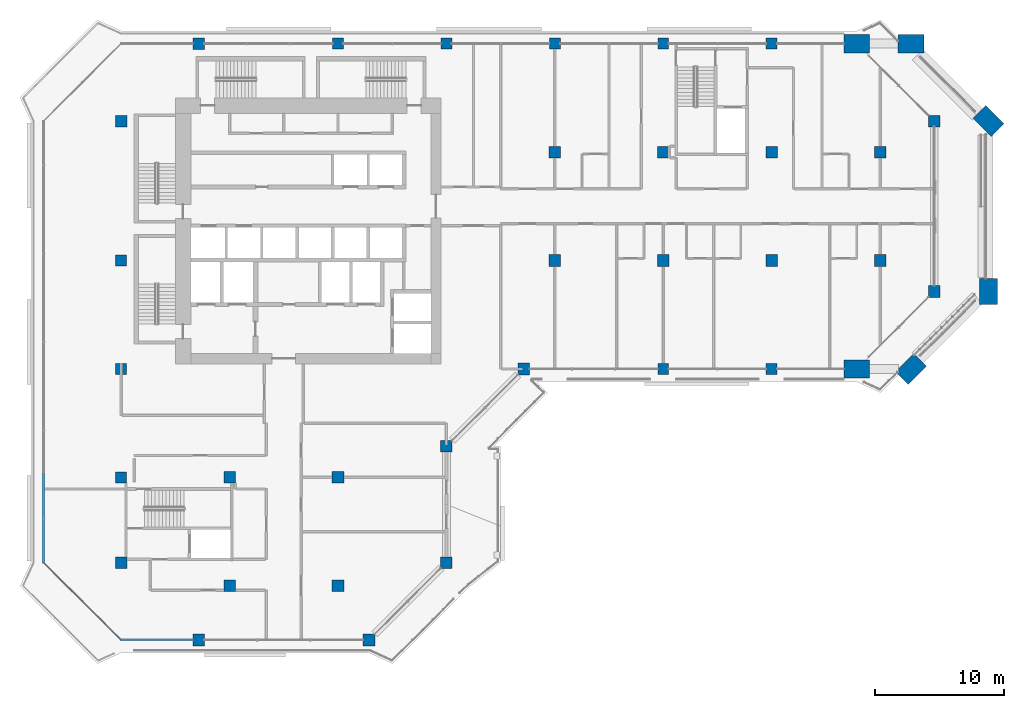
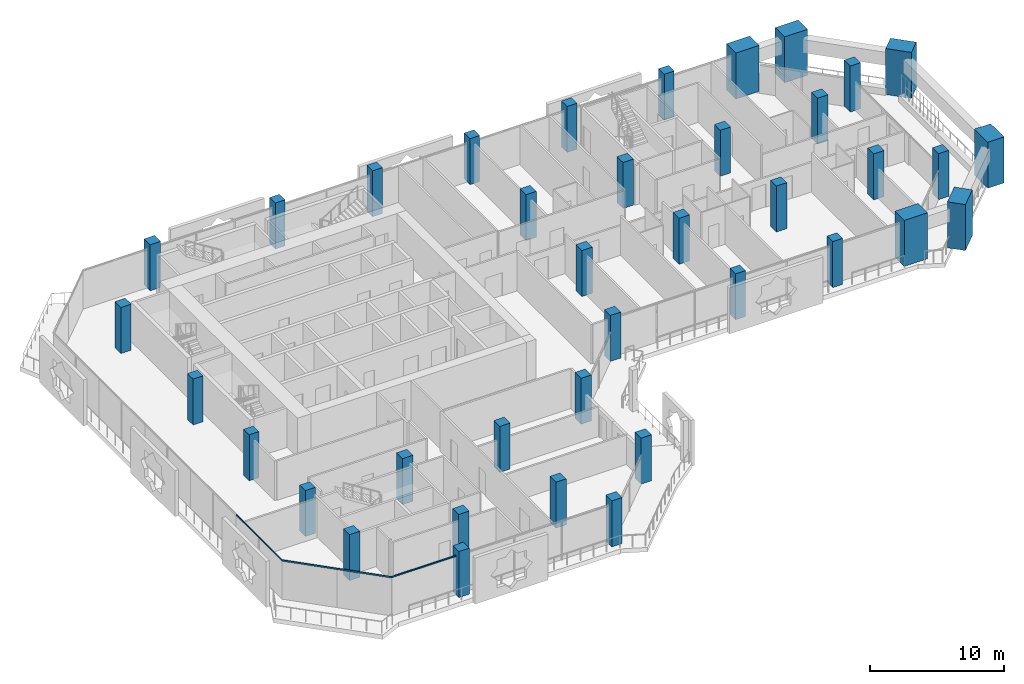
# One storey, part 1 of 21: 38 columns, 4 members, 3 elements without a shape of their own.
"""IFC4 building model written with IfcOpenShell, lengths in metres."""

from ifc_helpers import new_model, si_unit, direction, frame, origin, origin_2d, place, context, subcontext, project, spatial, rectangle, extrude, material, layer, layer_set, material_profile, profile_set, type_object, element, aggregate, save


model = new_model("IFC4")

# Units and contexts
model_context = context("Model", 3, precision=1e-05, world=origin(), true_north=direction((0.0, 1.0)))
body_context = subcontext(model_context, "Body", "Model", "MODEL_VIEW")
ifc_project = project(units=[si_unit("LENGTHUNIT", "METRE"), si_unit("AREAUNIT", "SQUARE_METRE"), si_unit("VOLUMEUNIT", "CUBIC_METRE"), si_unit("PLANEANGLEUNIT", "RADIAN"), si_unit("MASSUNIT", "GRAM", prefix="KILO")], contexts=[model_context])

# Site, building, storey
site_placement = place(None, origin())
site = spatial("IfcSite", under=ifc_project, at=site_placement, CompositionType="ELEMENT")
building_placement = place(site_placement, origin())
building = spatial("IfcBuilding", under=site, at=building_placement, Name="Kawkab Arch Medical Tower", CompositionType="ELEMENT")
storey_placement = place(building_placement, frame((0.0, 0.0, 230.60009765625)))
storey = spatial("IfcBuildingStorey", under=building, at=storey_placement, Name="L53", CompositionType="ELEMENT", Elevation=230.60009765625)

# Columns
ifc_material_1 = material(Name="Concrete C45/55", Category="concrete")
ifc_material_profile_1 = material_profile(ifc_material_1, rectangle(XDim=2.0, YDim=1.39990234375, at=origin_2d()), Name="RC 2000x1400")
ifc_profile_set_1 = profile_set([ifc_material_profile_1], Name="Concrete C45/55")
column_type_1 = type_object("IfcColumnType", Name="RC 2000x1400 column C45/55", PredefinedType="COLUMN", material=ifc_profile_set_1)
for number, where, z_axis, x_axis, name in (
    (1, (57.0, 0.0, 0.0), (0.0, 0.0, 1.0), (1.0, 0.0, 0.0), "Column RC 2000x1400"),
    (2, (57.0, -25.199951171875, 0.0), (0.0, 0.0, 1.0), (-1.0, 0.0, 0.0), "Column RC 2000x1400"),
    (3, (61.199951171875, 0.0, 0.0), (0.0, 0.0, 1.0), (1.0, 0.0, 0.0), "Column RC 2000x1400"),
    (4, (67.199951171875, -6.0, 0.0), (0.0, 0.0, 1.0), (0.707106781187, -0.707106781187, 0.0), "Column RC 2000x1400"),
    (5, (67.199951171875, -19.199951171875, 0.0), (0.0, 0.0, 1.0), (0.0, -1.0, 0.0), "Column RC 2000x1400"),
    (6, (61.199951171875, -25.199951171875, 0.0), (0.0, 0.0, 1.0), (-0.707106781187, -0.707106781187, 0.0), "Column RC 2000x1400"),
):
    element("IfcColumn", number, at=place(storey_placement, frame(where, z_axis=z_axis, x_axis=x_axis)), inside=storey, type_object=column_type_1, Name=name, PredefinedType="COLUMN", context=body_context, shape_type="SweptSolid", body=[
        extrude(rectangle(XDim=2.0, YDim=1.39990234375, at=origin_2d()), origin(), (0.0, 0.0, 1.0), 4.199951171875),
    ])
ifc_material_2 = material(Name="Concrete C45/55", Category="concrete")
ifc_material_profile_2 = material_profile(ifc_material_2, rectangle(XDim=0.85009765625, YDim=0.85009765625, at=origin_2d()), Name="RC 850x850")
ifc_profile_set_2 = profile_set([ifc_material_profile_2], Name="Concrete C45/55")
column_type_2 = type_object("IfcColumnType", Name="RC 850x850 column C45/55", PredefinedType="COLUMN", material=ifc_profile_set_2)
for number, where, z_axis, x_axis, name in (
    (7, (16.800048828125, 0.0, 0.0), (0.0, 0.0, 1.0), (1.0, 0.0, 0.0), "Column RC 850x850"),
    (8, (25.199951171875, 0.0, 0.0), (0.0, 0.0, 1.0), (1.0, 0.0, 0.0), "Column RC 850x850"),
    (9, (33.60009765625, 0.0, 0.0), (0.0, 0.0, 1.0), (1.0, 0.0, 0.0), "Column RC 850x850"),
    (10, (42.0, 0.0, 0.0), (0.0, 0.0, 1.0), (1.0, 0.0, 0.0), "Column RC 850x850"),
    (11, (50.39990234375, 0.0, 0.0), (0.0, 0.0, 1.0), (1.0, 0.0, 0.0), "Column RC 850x850"),
    (12, (0.0, -16.800048828125, 0.0), (0.0, 0.0, 1.0), (1.0, 0.0, 0.0), "Column RC 850x850"),
    (13, (0.0, -25.199951171875, 0.0), (0.0, 0.0, 1.0), (1.0, 0.0, 0.0), "Column RC 850x850"),
    (14, (42.0, -25.199951171875, 0.0), (0.0, 0.0, 1.0), (1.0, 0.0, 0.0), "Column RC 850x850"),
    (15, (50.39990234375, -25.199951171875, 0.0), (0.0, 0.0, 1.0), (1.0, 0.0, 0.0), "Column RC 850x850"),
    (16, (0.0, -33.60009765625, 0.0), (0.0, 0.0, 1.0), (1.0, 0.0, 0.0), "Column RC 850x850"),
):
    element("IfcColumn", number, at=place(storey_placement, frame(where, z_axis=z_axis, x_axis=x_axis)), inside=storey, type_object=column_type_2, Name=name, PredefinedType="COLUMN", context=body_context, shape_type="SweptSolid", body=[
        extrude(rectangle(XDim=0.85009765625, YDim=0.85009765625, at=origin_2d()), origin(), (0.0, 0.0, 1.0), 4.199951171875),
    ])
ifc_material_3 = material(Name="Concrete C45/55", Category="concrete")
ifc_material_profile_3 = material_profile(ifc_material_3, rectangle(XDim=0.89990234375, YDim=0.89990234375, at=origin_2d()), Name="RC 900x900")
ifc_profile_set_3 = profile_set([ifc_material_profile_3], Name="Concrete C45/55")
column_type_3 = type_object("IfcColumnType", Name="RC 900x900 column C45/55", PredefinedType="COLUMN", material=ifc_profile_set_3)
for number, where, z_axis, x_axis, name in (
    (17, (6.0, 0.0, 0.0), (0.0, 0.0, 1.0), (1.0, 0.0, 0.0), "Column RC 900x900"),
    (18, (0.0, -6.0, 0.0), (0.0, 0.0, 1.0), (1.0, 0.0, 0.0), "Column RC 900x900"),
    (19, (63.0, -6.0, 0.0), (0.0, 0.0, 1.0), (1.0, 0.0, 0.0), "Column RC 900x900"),
    (20, (33.60009765625, -8.39990234375, 0.0), (0.0, 0.0, 1.0), (1.0, 0.0, 0.0), "Column RC 900x900"),
    (21, (42.0, -8.39990234375, 0.0), (0.0, 0.0, 1.0), (1.0, 0.0, 0.0), "Column RC 900x900"),
    (22, (50.39990234375, -8.39990234375, 0.0), (0.0, 0.0, 1.0), (1.0, 0.0, 0.0), "Column RC 900x900"),
    (23, (58.800048828125, -8.39990234375, 0.0), (0.0, 0.0, 1.0), (1.0, 0.0, 0.0), "Column RC 900x900"),
    (24, (33.60009765625, -16.800048828125, 0.0), (0.0, 0.0, 1.0), (1.0, 0.0, 0.0), "Column RC 900x900"),
    (25, (42.0, -16.800048828125, 0.0), (0.0, 0.0, 1.0), (1.0, 0.0, 0.0), "Column RC 900x900"),
    (26, (50.39990234375, -16.800048828125, 0.0), (0.0, 0.0, 1.0), (1.0, 0.0, 0.0), "Column RC 900x900"),
    (27, (58.800048828125, -16.800048828125, 0.0), (0.0, 0.0, 1.0), (1.0, 0.0, 0.0), "Column RC 900x900"),
    (28, (63.0, -19.199951171875, 0.0), (0.0, 0.0, 1.0), (1.0, 0.0, 0.0), "Column RC 900x900"),
    (29, (31.199951171875, -25.199951171875, 0.0), (0.0, 0.0, 1.0), (1.0, 0.0, 0.0), "Column RC 900x900"),
    (30, (25.199951171875, -31.199951171875, 0.0), (0.0, 0.0, 1.0), (1.0, 0.0, 0.0), "Column RC 900x900"),
    (31, (8.39990234375, -33.60009765625, 0.0), (0.0, 0.0, 1.0), (1.0, 0.0, 0.0), "Column RC 900x900"),
    (32, (16.800048828125, -33.60009765625, 0.0), (0.0, 0.0, 1.0), (1.0, 0.0, 0.0), "Column RC 900x900"),
    (33, (0.0, -40.199951171875, 0.0), (0.0, 0.0, 1.0), (1.0, 0.0, 0.0), "Column RC 900x900"),
    (34, (25.199951171875, -40.199951171875, 0.0), (0.0, 0.0, 1.0), (1.0, 0.0, 0.0), "Column RC 900x900"),
    (35, (8.39990234375, -42.0, 0.0), (0.0, 0.0, 1.0), (1.0, 0.0, 0.0), "Column RC 900x900"),
    (36, (16.800048828125, -42.0, 0.0), (0.0, 0.0, 1.0), (1.0, 0.0, 0.0), "Column RC 900x900"),
    (37, (6.0, -46.199951171875, 0.0), (0.0, 0.0, 1.0), (1.0, 0.0, 0.0), "Column RC 900x900"),
    (38, (19.199951171875, -46.199951171875, 0.0), (0.0, 0.0, 1.0), (1.0, 0.0, 0.0), "Column RC 900x900"),
):
    element("IfcColumn", number, at=place(storey_placement, frame(where, z_axis=z_axis, x_axis=x_axis)), inside=storey, type_object=column_type_3, Name=name, PredefinedType="COLUMN", context=body_context, shape_type="SweptSolid", body=[
        extrude(rectangle(XDim=0.89990234375, YDim=0.89990234375, at=origin_2d()), origin(), (0.0, 0.0, 1.0), 4.199951171875),
    ])

# Curtain wall, member
ifc_material_4 = material(Name="Bronze anodised aluminium curtain wall frame", Category="aluminium")
ifc_layer_1 = layer(ifc_material_4, 0.159912109375)
ifc_layer_set_1 = layer_set([ifc_layer_1], Name="Bronze anodised aluminium curtain wall frame")
curtain_wall_type_1 = type_object("IfcCurtainWallType", Name="CW1 ward curtain wall", PredefinedType="NOTDEFINED", material=ifc_layer_set_1)
placement = place(storey_placement, origin())
curtain_wall_1 = element("IfcCurtainWall", 39, at=placement, inside=storey, type_object=curtain_wall_type_1, Name="CW1 Ward curtain wall R01", PredefinedType="NOTDEFINED")
ifc_material_5 = material(Name="Bronze anodised aluminium curtain wall frame", Category="aluminium")
ifc_material_profile_4 = material_profile(ifc_material_5, rectangle(XDim=0.06005859375, YDim=0.1201171875, at=origin_2d()), Name="AL 60x120")
ifc_profile_set_4 = profile_set([ifc_material_profile_4], Name="Bronze anodised aluminium curtain wall frame")
member_type_1 = type_object("IfcMemberType", Name="CW1 transom 120 x 60", PredefinedType="USERDEFINED", material=ifc_profile_set_4)
member_1_placement = place(storey_placement, frame((-6.0, -33.360107421875, 3.539794921875), z_axis=(0.0, -1.0, 0.0), x_axis=(1.0, 0.0, 0.0)))
member_1 = element("IfcMember", 40, at=member_1_placement, type_object=member_type_1, Name="CW1 transom 5", ObjectType="TRANSOM", PredefinedType="USERDEFINED", context=body_context, shape_type="SweptSolid", body=[
    extrude(rectangle(XDim=0.06005859375, YDim=0.1201171875, at=origin_2d()), origin(), (0.0, 0.0, 1.0), 6.83984375),
])
aggregate(curtain_wall_1, [member_1])

curtain_wall_2 = element("IfcCurtainWall", 41, at=placement, inside=storey, type_object=curtain_wall_type_1, Name="CW1 Ward curtain wall R03", PredefinedType="NOTDEFINED")
member_2_placement = place(storey_placement, frame((0.0, -46.199951171875, 3.539794921875), z_axis=(1.0, 0.0, 0.0), x_axis=(0.0, 1.0, 0.0)))
member_2 = element("IfcMember", 42, at=member_2_placement, type_object=member_type_1, Name="CW1 transom 1", ObjectType="TRANSOM", PredefinedType="USERDEFINED", context=body_context, shape_type="SweptSolid", body=[
    extrude(rectangle(XDim=0.06005859375, YDim=0.1201171875, at=origin_2d()), origin(), (0.0, 0.0, 1.0), 5.550048828125),
])
aggregate(curtain_wall_2, [member_2])

# Curtain wall, members
ifc_material_6 = material(Name="Bronze anodised aluminium curtain wall frame", Category="aluminium")
ifc_layer_2 = layer(ifc_material_6, 0.159912109375)
ifc_layer_set_2 = layer_set([ifc_layer_2], Name="Bronze anodised aluminium curtain wall frame")
curtain_wall_type_2 = type_object("IfcCurtainWallType", Name="CW2 chamfer curtain wall", PredefinedType="NOTDEFINED", material=ifc_layer_set_2)
curtain_wall_3 = element("IfcCurtainWall", 43, at=placement, inside=storey, type_object=curtain_wall_type_2, Name="CW2 Chamfer curtain wall R02", PredefinedType="NOTDEFINED")
ifc_material_7 = material(Name="Bronze anodised aluminium curtain wall frame", Category="aluminium")
ifc_material_profile_5 = material_profile(ifc_material_7, rectangle(XDim=0.06005859375, YDim=0.139892578125, at=origin_2d()), Name="AL 60x140")
ifc_profile_set_5 = profile_set([ifc_material_profile_5], Name="Bronze anodised aluminium curtain wall frame")
member_type_2 = type_object("IfcMemberType", Name="CW2 transom 140 x 60", PredefinedType="USERDEFINED", material=ifc_profile_set_5)
member_3_placement = place(storey_placement, frame((-6.0, -40.199951171875, 3.52978515625), z_axis=(0.707106781187, -0.707106781187, 0.0), x_axis=(0.707106781187, 0.707106781187, 0.0)))
member_3 = element("IfcMember", 44, at=member_3_placement, type_object=member_type_2, Name="CW2 transom 1", ObjectType="TRANSOM", PredefinedType="USERDEFINED", context=body_context, shape_type="SweptSolid", body=[
    extrude(rectangle(XDim=0.06005859375, YDim=0.139892578125, at=origin_2d()), origin(), (0.0, 0.0, 1.0), 4.24267578125),
])
member_4_placement = place(storey_placement, frame((-3.0, -43.199951171875, 3.52978515625), z_axis=(0.707106781187, -0.707106781187, 0.0), x_axis=(0.707106781187, 0.707106781187, 0.0)))
member_4 = element("IfcMember", 45, at=member_4_placement, type_object=member_type_2, Name="CW2 transom 2", ObjectType="TRANSOM", PredefinedType="USERDEFINED", context=body_context, shape_type="SweptSolid", body=[
    extrude(rectangle(XDim=0.06005859375, YDim=0.139892578125, at=origin_2d()), origin(), (0.0, 0.0, 1.0), 4.24267578125),
])
aggregate(curtain_wall_3, [member_3, member_4])

save(model, "model.ifc")
